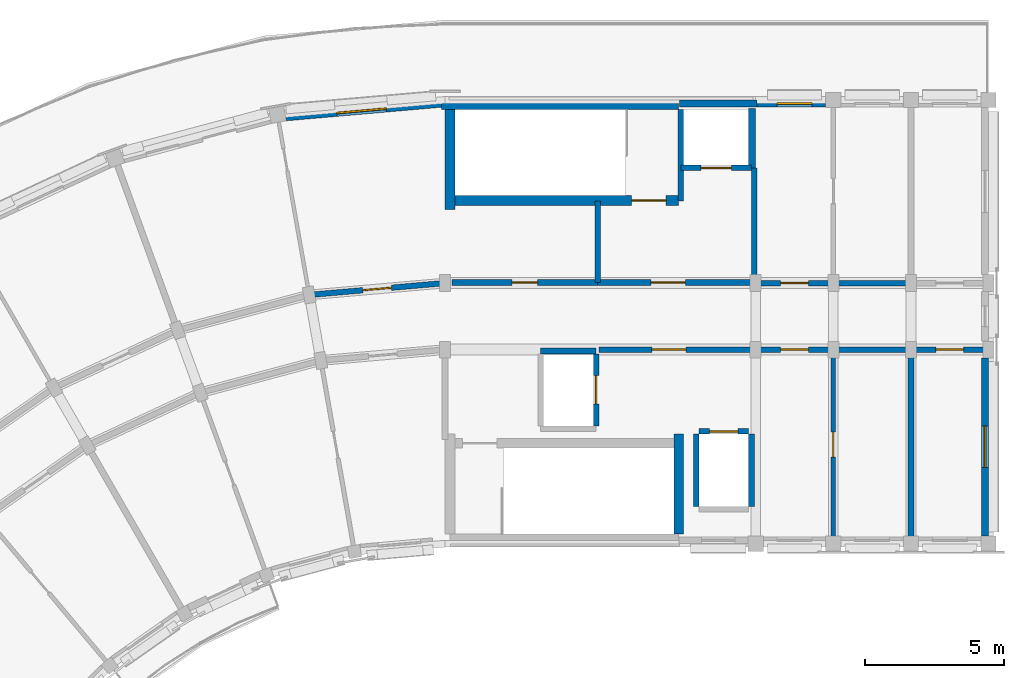
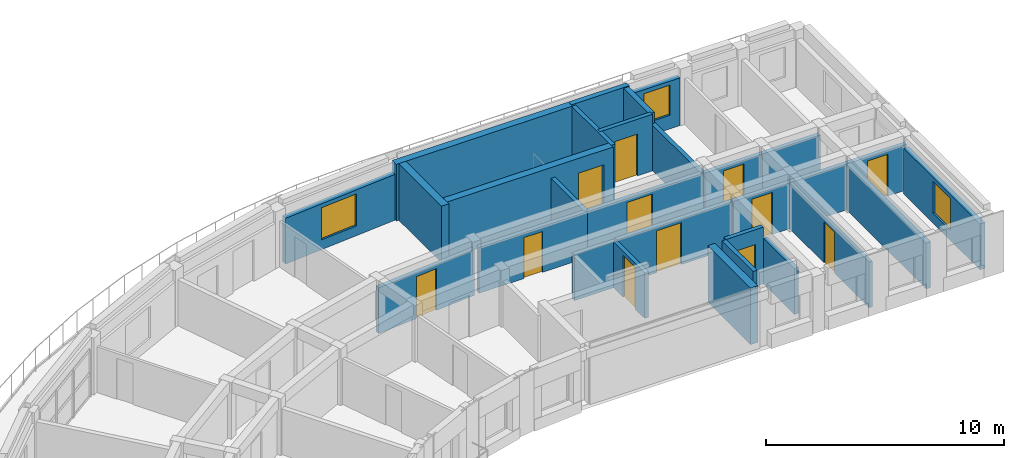
# One storey, part 9 of 14: 29 walls, 12 doors, 3 windows, 15 openings.
"""IFC4 building model written with IfcOpenShell, lengths in metres."""

from ifc_helpers import new_model, si_unit, direction, frame, frame_2d, origin, place, context, subcontext, project, spatial, rectangle, extrude, material, layer, layer_set, type_object, element, fill, save


model = new_model("IFC4")

# Units and contexts
model_context = context("Model", 3, precision=1e-05, world=origin(), true_north=direction((0.0, 1.0)))
body_context = subcontext(model_context, "Body", "Model", "MODEL_VIEW")
ifc_project = project(units=[si_unit("LENGTHUNIT", "METRE"), si_unit("AREAUNIT", "SQUARE_METRE"), si_unit("VOLUMEUNIT", "CUBIC_METRE"), si_unit("PLANEANGLEUNIT", "RADIAN"), si_unit("MASSUNIT", "GRAM", prefix="KILO")], contexts=[model_context])

# Site, building, storey
site_placement = place(None, origin())
site = spatial("IfcSite", under=ifc_project, at=site_placement, CompositionType="ELEMENT")
building_placement = place(site_placement, origin())
building = spatial("IfcBuilding", under=site, at=building_placement, Name="Kiranvali Square Residences", CompositionType="ELEMENT")
storey_placement = place(building_placement, frame((0.0, 0.0, 49.64990234375)))
storey = spatial("IfcBuildingStorey", under=building, at=storey_placement, Name="L15", CompositionType="ELEMENT", Elevation=49.64990234375)

# Wall, opening, door
ifc_material_1 = material(Name="Autoclaved aerated concrete blockwork masonry", Category="masonry")
ifc_layer_1 = layer(ifc_material_1, 0.199951171875)
ifc_layer_set_1 = layer_set([ifc_layer_1], Name="Autoclaved aerated concrete blockwork masonry")
wall_type_1 = type_object("IfcWallType", Name="WL-COR-200", PredefinedType="STANDARD", material=ifc_layer_set_1)
wall_1_placement = place(storey_placement, frame((53.75, 113.60009765625, 0.0), z_axis=(0.0, 0.0, 1.0), x_axis=(1.0, 0.0, 0.0)))
wall_1 = element("IfcWall", 1, at=wall_1_placement, inside=storey, type_object=wall_type_1, Name="L15 architectural wall WL-L15-A-LL-COR", PredefinedType="STANDARD", context=body_context, shape_type="SweptSolid", body=[
    extrude(rectangle(XDim=5.60009765625, YDim=0.199951171875, at=frame_2d((2.800048828125, 0.0))), origin(), (0.0, 0.0, 1.0), 2.35205078125),
])
opening_1_placement = place(wall_1_placement, frame((1.909912109375, 0.0, 0.0)))
opening_1 = element("IfcOpeningElement", 2, at=opening_1_placement, cuts=wall_1, Name="Opening FD-COR-60", PredefinedType="OPENING", context=body_context, shape_type="SweptSolid", body=[
    extrude(rectangle(XDim=1.219970703125, YDim=2.14990234375, at=frame_2d((0.60986328125, 1.074951171875))), frame((0.0, 0.10986328125, 0.0), z_axis=(0.0, -1.0, 0.0), x_axis=(1.0, 0.0, 0.0)), (0.0, 0.0, 1.0), 0.219970703125),
])
ifc_material_2 = material(Name="Fire-rated acoustic hardwood and mineral-core door assembly", Category="wood")
door_type_1 = type_object("IfcDoorType", Name="DR-FD60-1200", OperationType="NOTDEFINED", PredefinedType="DOOR", material=ifc_material_2)
door_1_placement = place(opening_1_placement, origin())
door_1 = element("IfcDoor", 3, at=door_1_placement, inside=storey, type_object=door_type_1, Name="L15 door DR-L15-0909 (DR-FD60-1200)", OperationType="SINGLE_SWING_LEFT", OverallHeight=2.14990234375, OverallWidth=1.219970703125, PredefinedType="DOOR", context=body_context, shape_type="SweptSolid", body=[
    extrude(rectangle(XDim=1.219970703125, YDim=2.14990234375, at=frame_2d((0.60986328125, 1.074951171875))), frame((0.0, 0.02490234375, 0.0), z_axis=(0.0, -1.0, 0.0), x_axis=(1.0, 0.0, 0.0)), (0.0, 0.0, 1.0), 0.050048828125),
])
fill(opening_1, door_1)

wall_2_placement = place(storey_placement, frame((59.39990234375, 113.60009765625, 0.0), z_axis=(0.0, 0.0, 1.0), x_axis=(1.0, 0.0, 0.0)))
wall_2 = element("IfcWall", 4, at=wall_2_placement, inside=storey, type_object=wall_type_1, Name="L15 architectural wall WL-L15-A-A1CI-0", PredefinedType="STANDARD", context=body_context, shape_type="SweptSolid", body=[
    extrude(rectangle(XDim=2.800048828125, YDim=0.199951171875, at=frame_2d((1.39990234375, 0.0))), origin(), (0.0, 0.0, 1.0), 2.35205078125),
])
opening_2_placement = place(wall_2_placement, frame((0.89990234375, 0.0, 0.0)))
opening_2 = element("IfcOpeningElement", 5, at=opening_2_placement, cuts=wall_2, Name="Opening FD-APT-60", PredefinedType="OPENING", context=body_context, shape_type="SweptSolid", body=[
    extrude(rectangle(XDim=1.0, YDim=2.14990234375, at=frame_2d((0.5, 1.074951171875))), frame((0.0, 0.10986328125, 0.0), z_axis=(0.0, -1.0, 0.0), x_axis=(1.0, 0.0, 0.0)), (0.0, 0.0, 1.0), 0.219970703125),
])
door_type_2 = type_object("IfcDoorType", Name="DR-APT-1000", OperationType="NOTDEFINED", PredefinedType="DOOR", material=ifc_material_2)
door_2_placement = place(opening_2_placement, frame((1.0, 0.0, 0.0), z_axis=(0.0, 0.0, 1.0), x_axis=(-1.0, 0.0, 0.0)))
door_2 = element("IfcDoor", 6, at=door_2_placement, inside=storey, type_object=door_type_2, Name="L15 door DR-L15-0912 (DR-APT-1000)", OperationType="SINGLE_SWING_RIGHT", OverallHeight=2.14990234375, OverallWidth=1.0, PredefinedType="DOOR", context=body_context, shape_type="SweptSolid", body=[
    extrude(rectangle(XDim=1.0, YDim=2.14990234375, at=frame_2d((0.5, 1.074951171875))), frame((0.0, 0.02490234375, 0.0), z_axis=(0.0, -1.0, 0.0), x_axis=(1.0, 0.0, 0.0)), (0.0, 0.0, 1.0), 0.050048828125),
])
fill(opening_2, door_2)

wall_3_placement = place(storey_placement, frame((59.39990234375, 116.0, 0.0), z_axis=(0.0, 0.0, 1.0), x_axis=(1.0, 0.0, 0.0)))
wall_3 = element("IfcWall", 7, at=wall_3_placement, inside=storey, type_object=wall_type_1, Name="L15 architectural wall WL-L15-A-A1CO-0", PredefinedType="STANDARD", context=body_context, shape_type="SweptSolid", body=[
    extrude(rectangle(XDim=2.800048828125, YDim=0.199951171875, at=frame_2d((1.39990234375, 0.0))), origin(), (0.0, 0.0, 1.0), 2.35205078125),
])
opening_3_placement = place(wall_3_placement, frame((0.89990234375, 0.0, 0.0)))
opening_3 = element("IfcOpeningElement", 8, at=opening_3_placement, cuts=wall_3, Name="Opening FD-APT-60", PredefinedType="OPENING", context=body_context, shape_type="SweptSolid", body=[
    extrude(rectangle(XDim=1.0, YDim=2.14990234375, at=frame_2d((0.5, 1.074951171875))), frame((0.0, 0.10986328125, 0.0), z_axis=(0.0, -1.0, 0.0), x_axis=(1.0, 0.0, 0.0)), (0.0, 0.0, 1.0), 0.219970703125),
])
door_3_placement = place(opening_3_placement, origin())
door_3 = element("IfcDoor", 9, at=door_3_placement, inside=storey, type_object=door_type_2, Name="L15 door DR-L15-0913 (DR-APT-1000)", OperationType="SINGLE_SWING_LEFT", OverallHeight=2.14990234375, OverallWidth=1.0, PredefinedType="DOOR", context=body_context, shape_type="SweptSolid", body=[
    extrude(rectangle(XDim=1.0, YDim=2.14990234375, at=frame_2d((0.5, 1.074951171875))), frame((0.0, 0.02490234375, 0.0), z_axis=(0.0, -1.0, 0.0), x_axis=(1.0, 0.0, 0.0)), (0.0, 0.0, 1.0), 0.050048828125),
])
fill(opening_3, door_3)

# Walls
for number, where, z_axis, x_axis, name in (
    (10, (62.199951171875, 113.60009765625, 0.0), (0.0, 0.0, 1.0), (1.0, 0.0, 0.0), "L15 architectural wall WL-L15-A-A1CI-1"),
    (11, (62.199951171875, 116.0, 0.0), (0.0, 0.0, 1.0), (1.0, 0.0, 0.0), "L15 architectural wall WL-L15-A-A1CO-1"),
):
    element("IfcWall", number, at=place(storey_placement, frame(where, z_axis=z_axis, x_axis=x_axis)), inside=storey, type_object=wall_type_1, Name=name, PredefinedType="STANDARD", context=body_context, shape_type="SweptSolid", body=[
        extrude(rectangle(XDim=2.800048828125, YDim=0.199951171875, at=frame_2d((1.39990234375, 0.0))), origin(), (0.0, 0.0, 1.0), 2.35205078125),
    ])

# Wall, opening, door
wall_4_placement = place(storey_placement, frame((65.0, 113.60009765625, 0.0), z_axis=(0.0, 0.0, 1.0), x_axis=(1.0, 0.0, 0.0)))
wall_4 = element("IfcWall", 12, at=wall_4_placement, inside=storey, type_object=wall_type_1, Name="L15 architectural wall WL-L15-A-A1CI-2", PredefinedType="STANDARD", context=body_context, shape_type="SweptSolid", body=[
    extrude(rectangle(XDim=2.800048828125, YDim=0.199951171875, at=frame_2d((1.39990234375, 0.0))), origin(), (0.0, 0.0, 1.0), 2.35205078125),
])
opening_4_placement = place(wall_4_placement, frame((0.89990234375, 0.0, 0.0)))
opening_4 = element("IfcOpeningElement", 13, at=opening_4_placement, cuts=wall_4, Name="Opening FD-APT-60", PredefinedType="OPENING", context=body_context, shape_type="SweptSolid", body=[
    extrude(rectangle(XDim=1.0, YDim=2.14990234375, at=frame_2d((0.5, 1.074951171875))), frame((0.0, 0.10986328125, 0.0), z_axis=(0.0, -1.0, 0.0), x_axis=(1.0, 0.0, 0.0)), (0.0, 0.0, 1.0), 0.219970703125),
])
door_4_placement = place(opening_4_placement, frame((1.0, 0.0, 0.0), z_axis=(0.0, 0.0, 1.0), x_axis=(-1.0, 0.0, 0.0)))
door_4 = element("IfcDoor", 14, at=door_4_placement, inside=storey, type_object=door_type_2, Name="L15 door DR-L15-0914 (DR-APT-1000)", OperationType="SINGLE_SWING_RIGHT", OverallHeight=2.14990234375, OverallWidth=1.0, PredefinedType="DOOR", context=body_context, shape_type="SweptSolid", body=[
    extrude(rectangle(XDim=1.0, YDim=2.14990234375, at=frame_2d((0.5, 1.074951171875))), frame((0.0, 0.02490234375, 0.0), z_axis=(0.0, -1.0, 0.0), x_axis=(1.0, 0.0, 0.0)), (0.0, 0.0, 1.0), 0.050048828125),
])
fill(opening_4, door_4)

wall_5_placement = place(storey_placement, frame((48.199951171875, 116.0, 0.0), z_axis=(0.0, 0.0, 1.0), x_axis=(-0.996193663584, -0.087167566415, 0.0)))
wall_5 = element("IfcWall", 15, at=wall_5_placement, inside=storey, type_object=wall_type_1, Name="L15 architectural wall WL-L15-A-CCO-0", PredefinedType="STANDARD", context=body_context, shape_type="SweptSolid", body=[
    extrude(rectangle(XDim=4.91552734375, YDim=0.199951171875, at=frame_2d((2.457763671875, 0.0))), origin(), (0.0, 0.0, 1.0), 2.35205078125),
])
opening_5_placement = place(wall_5_placement, frame((1.937744140625, 0.0, 0.0)))
opening_5 = element("IfcOpeningElement", 16, at=opening_5_placement, cuts=wall_5, Name="Opening FD-APT-60B", PredefinedType="OPENING", context=body_context, shape_type="SweptSolid", body=[
    extrude(rectangle(XDim=1.0400390625, YDim=2.14990234375, at=frame_2d((0.52001953125, 1.074951171875))), frame((0.0, 0.10986328125, 0.0), z_axis=(0.0, -1.0, 0.0), x_axis=(1.0, 0.0, 0.0)), (0.0, 0.0, 1.0), 0.219970703125),
])
door_type_3 = type_object("IfcDoorType", Name="DR-APT-1040", OperationType="NOTDEFINED", PredefinedType="DOOR", material=ifc_material_2)
door_5_placement = place(opening_5_placement, origin())
door_5 = element("IfcDoor", 17, at=door_5_placement, inside=storey, type_object=door_type_3, Name="L15 door DR-L15-0929 (DR-APT-1040)", OperationType="SINGLE_SWING_LEFT", OverallHeight=2.14990234375, OverallWidth=1.0400390625, PredefinedType="DOOR", context=body_context, shape_type="SweptSolid", body=[
    extrude(rectangle(XDim=1.0400390625, YDim=2.14990234375, at=frame_2d((0.52001953125, 1.074951171875))), frame((0.0, 0.02490234375, 0.0), z_axis=(0.0, -1.0, 0.0), x_axis=(1.0, 0.0, 0.0)), (0.0, 0.0, 1.0), 0.050048828125),
])
fill(opening_5, door_5)

# Wall
ifc_layer_2 = layer(ifc_material_1, 0.219970703125)
ifc_layer_set_2 = layer_set([ifc_layer_2], Name="Autoclaved aerated concrete blockwork masonry")
wall_type_2 = type_object("IfcWallType", Name="WL-DEM-220", PredefinedType="STANDARD", material=ifc_layer_set_2)
wall_6_placement = place(storey_placement, frame((65.0, 106.800048828125, 0.0), z_axis=(0.0, 0.0, 1.0), x_axis=(0.0, 1.0, 0.0)))
element("IfcWall", 18, at=wall_6_placement, inside=storey, type_object=wall_type_2, Name="L15 architectural wall WL-L15-A-A1TI-2", PredefinedType="STANDARD", context=body_context, shape_type="SweptSolid", body=[
    extrude(rectangle(XDim=6.75, YDim=0.219970703125, at=frame_2d((3.375, 0.0))), origin(), (0.0, 0.0, 1.0), 2.35205078125),
])

# Wall, opening, window
ifc_material_3 = material(Name="Breathable lime-rendered clay brick masonry", Category="masonry")
ifc_layer_3 = layer(ifc_material_3, 0.25)
ifc_layer_set_3 = layer_set([ifc_layer_3], Name="Breathable lime-rendered clay brick masonry")
wall_type_3 = type_object("IfcWallType", Name="WL-EXT-250", PredefinedType="STANDARD", material=ifc_layer_set_3)
wall_7_placement = place(storey_placement, frame((48.06640625, 122.462890625, 0.0), z_axis=(0.0, 0.0, 1.0), x_axis=(-0.996192680155, -0.087178804791, 0.0)))
wall_7 = element("IfcWall", 19, at=wall_7_placement, inside=storey, type_object=wall_type_3, Name="L15 exterior wall A-L15-CRV-00", PredefinedType="STANDARD", context=body_context, shape_type="SweptSolid", body=[
    extrude(rectangle(XDim=5.62060546875, YDim=0.25, at=frame_2d((2.810302734375, 0.0))), origin(), (0.0, 0.0, 1.0), 2.35205078125),
])
opening_6_placement = place(wall_7_placement, frame((1.988037109375, 0.0, 0.501953125)))
opening_6 = element("IfcOpeningElement", 20, at=opening_6_placement, cuts=wall_7, Name="Opening W-04", PredefinedType="OPENING", context=body_context, shape_type="SweptSolid", body=[
    extrude(rectangle(XDim=1.800048828125, YDim=1.64990234375, at=frame_2d((0.89990234375, 0.824951171875))), frame((0.0, 0.135009765625, 0.0), z_axis=(0.0, -1.0, 0.0), x_axis=(1.0, 0.0, 0.0)), (0.0, 0.0, 1.0), 0.27001953125),
])
ifc_material_4 = material(Name="Solar-control low-e double glazing", Category="glass")
window_type_1 = type_object("IfcWindowType", Name="WIN-RES-1800x1650", PartitioningType="DOUBLE_PANEL_VERTICAL", PredefinedType="WINDOW", material=ifc_material_4)
window_1_placement = place(opening_6_placement, origin())
window_1 = element("IfcWindow", 21, at=window_1_placement, inside=storey, type_object=window_type_1, Name="L15 recessed window A-L15-CRV-00", OverallHeight=1.64990234375, OverallWidth=1.800048828125, PartitioningType="DOUBLE_PANEL_VERTICAL", PredefinedType="WINDOW", context=body_context, shape_type="SweptSolid", body=[
    extrude(rectangle(XDim=1.800048828125, YDim=1.64990234375, at=frame_2d((0.89990234375, 0.824951171875))), frame((0.0, 0.030029296875, 0.0), z_axis=(0.0, -1.0, 0.0), x_axis=(1.0, 0.0, 0.0)), (0.0, 0.0, 1.0), 0.06005859375),
])
fill(opening_6, window_1)

wall_8_placement = place(storey_placement, frame((59.45361328125, 122.47509765625, 0.0), z_axis=(0.0, 0.0, 1.0), x_axis=(1.0, 0.0, 0.0)))
wall_8 = element("IfcWall", 22, at=wall_8_placement, inside=storey, type_object=wall_type_3, Name="L15 exterior wall A-L15-A1TO-0", PredefinedType="STANDARD", context=body_context, shape_type="SweptSolid", body=[
    extrude(rectangle(XDim=2.4677734375, YDim=0.25, at=frame_2d((1.23388671875, 0.0))), origin(), (0.0, 0.0, 1.0), 2.4521484375),
])
opening_7_placement = place(wall_8_placement, frame((0.721435546875, 0.0, 0.701904296875)))
opening_7 = element("IfcOpeningElement", 23, at=opening_7_placement, cuts=wall_8, Name="Opening W-19", PredefinedType="OPENING", context=body_context, shape_type="SweptSolid", body=[
    extrude(rectangle(XDim=1.25, YDim=1.550048828125, at=frame_2d((0.625, 0.77490234375))), frame((0.0, 0.135009765625, 0.0), z_axis=(0.0, -1.0, 0.0), x_axis=(1.0, 0.0, 0.0)), (0.0, 0.0, 1.0), 0.27001953125),
])
window_type_2 = type_object("IfcWindowType", Name="WIN-GDN-1250x1550", PartitioningType="SINGLE_PANEL", PredefinedType="WINDOW", material=ifc_material_4)
window_2_placement = place(opening_7_placement, origin())
window_2 = element("IfcWindow", 24, at=window_2_placement, inside=storey, type_object=window_type_2, Name="L15 recessed window A-L15-A1TO-0", OverallHeight=1.550048828125, OverallWidth=1.25, PartitioningType="SINGLE_PANEL", PredefinedType="WINDOW", context=body_context, shape_type="SweptSolid", body=[
    extrude(rectangle(XDim=1.25, YDim=1.550048828125, at=frame_2d((0.625, 0.77490234375))), frame((0.0, 0.030029296875, 0.0), z_axis=(0.0, -1.0, 0.0), x_axis=(1.0, 0.0, 0.0)), (0.0, 0.0, 1.0), 0.06005859375),
])
fill(opening_7, window_2)

wall_9_placement = place(storey_placement, frame((67.675048828125, 106.87841796875, 0.0), z_axis=(0.0, 0.0, 1.0), x_axis=(0.0, 1.0, 0.0)))
wall_9 = element("IfcWall", 25, at=wall_9_placement, inside=storey, type_object=wall_type_3, Name="L15 exterior wall A-L15-A1END-0", PredefinedType="STANDARD", context=body_context, shape_type="SweptSolid", body=[
    extrude(rectangle(XDim=6.41796875, YDim=0.25, at=frame_2d((3.208984375, 0.0))), origin(), (0.0, 0.0, 1.0), 2.35205078125),
])
opening_8_placement = place(wall_9_placement, frame((2.471435546875, 0.0, 0.501953125)))
opening_8 = element("IfcOpeningElement", 26, at=opening_8_placement, cuts=wall_9, Name="Opening W-05", PredefinedType="OPENING", context=body_context, shape_type="SweptSolid", body=[
    extrude(rectangle(XDim=1.5, YDim=1.64990234375, at=frame_2d((0.75, 0.824951171875))), frame((0.0, 0.135009765625, 0.0), z_axis=(0.0, -1.0, 0.0), x_axis=(1.0, 0.0, 0.0)), (0.0, 0.0, 1.0), 0.27001953125),
])
window_type_3 = type_object("IfcWindowType", Name="WIN-RES-1500x1650", PartitioningType="DOUBLE_PANEL_VERTICAL", PredefinedType="WINDOW", material=ifc_material_4)
window_3_placement = place(opening_8_placement, origin())
window_3 = element("IfcWindow", 27, at=window_3_placement, inside=storey, type_object=window_type_3, Name="L15 recessed window A-L15-A1END-0", OverallHeight=1.64990234375, OverallWidth=1.5, PartitioningType="DOUBLE_PANEL_VERTICAL", PredefinedType="WINDOW", context=body_context, shape_type="SweptSolid", body=[
    extrude(rectangle(XDim=1.5, YDim=1.64990234375, at=frame_2d((0.75, 0.824951171875))), frame((0.0, 0.030029296875, 0.0), z_axis=(0.0, -1.0, 0.0), x_axis=(1.0, 0.0, 0.0)), (0.0, 0.0, 1.0), 0.06005859375),
])
fill(opening_8, window_3)

# Wall, opening, door
ifc_layer_4 = layer(ifc_material_1, 0.199951171875)
ifc_layer_set_4 = layer_set([ifc_layer_4], Name="Autoclaved aerated concrete blockwork masonry")
wall_type_4 = type_object("IfcWallType", Name="WL-FFL-200", PredefinedType="STANDARD", material=ifc_layer_set_4)
wall_10_placement = place(storey_placement, frame((53.699951171875, 116.02001953125, 0.0), z_axis=(0.0, 0.0, 1.0), x_axis=(1.0, 0.0, 0.0)))
wall_10 = element("IfcWall", 28, at=wall_10_placement, inside=storey, type_object=wall_type_4, Name="L15 architectural wall WL-L15-A-FF-COR", PredefinedType="STANDARD", context=body_context, shape_type="SweptSolid", body=[
    extrude(rectangle(XDim=5.650146484375, YDim=0.199951171875, at=frame_2d((2.8251953125, 0.0))), origin(), (0.0, 0.0, 1.0), 2.35205078125),
])
opening_9_placement = place(wall_10_placement, frame((1.922607421875, 0.0, 0.0)))
opening_9 = element("IfcOpeningElement", 29, at=opening_9_placement, cuts=wall_10, Name="Opening FD-ST-120", PredefinedType="OPENING", context=body_context, shape_type="SweptSolid", body=[
    extrude(rectangle(XDim=1.239990234375, YDim=2.14990234375, at=frame_2d((0.6201171875, 1.074951171875))), frame((0.0, 0.10986328125, 0.0), z_axis=(0.0, -1.0, 0.0), x_axis=(1.0, 0.0, 0.0)), (0.0, 0.0, 1.0), 0.219970703125),
])
door_type_4 = type_object("IfcDoorType", Name="DR-FD120-1200", OperationType="NOTDEFINED", PredefinedType="DOOR", material=ifc_material_2)
door_6_placement = place(opening_9_placement, origin())
door_6 = element("IfcDoor", 30, at=door_6_placement, inside=storey, type_object=door_type_4, Name="L15 door DR-L15-0901 (DR-FD120-1200)", OperationType="SINGLE_SWING_LEFT", OverallHeight=2.14990234375, OverallWidth=1.239990234375, PredefinedType="DOOR", context=body_context, shape_type="SweptSolid", body=[
    extrude(rectangle(XDim=1.239990234375, YDim=2.14990234375, at=frame_2d((0.6201171875, 1.074951171875))), frame((0.0, 0.02490234375, 0.0), z_axis=(0.0, -1.0, 0.0), x_axis=(1.0, 0.0, 0.0)), (0.0, 0.0, 1.0), 0.050048828125),
])
fill(opening_9, door_6)

# Walls
wall_11_placement = place(storey_placement, frame((53.699951171875, 116.02001953125, 0.0), z_axis=(0.0, 0.0, 1.0), x_axis=(0.0, 1.0, 0.0)))
element("IfcWall", 31, at=wall_11_placement, inside=storey, type_object=wall_type_4, Name="L15 architectural wall WL-L15-A-FF-DIV", PredefinedType="STANDARD", context=body_context, shape_type="SweptSolid", body=[
    extrude(rectangle(XDim=2.929931640625, YDim=0.199951171875, at=frame_2d((1.46484375, 0.0))), origin(), (0.0, 0.0, 1.0), 2.35205078125),
])
wall_12_placement = place(storey_placement, frame((59.35009765625, 116.02001953125, 0.0), z_axis=(0.0, 0.0, 1.0), x_axis=(0.0, 1.0, 0.0)))
element("IfcWall", 32, at=wall_12_placement, inside=storey, type_object=wall_type_4, Name="L15 architectural wall WL-L15-A-FF-END", PredefinedType="STANDARD", context=body_context, shape_type="SweptSolid", body=[
    extrude(rectangle(XDim=4.1298828125, YDim=0.199951171875, at=frame_2d((2.06494140625, 0.0))), origin(), (0.0, 0.0, 1.0), 2.35205078125),
])

# Wall, opening, door
wall_13_placement = place(storey_placement, frame((56.699951171875, 120.14990234375, 0.0), z_axis=(0.0, 0.0, 1.0), x_axis=(1.0, 0.0, 0.0)))
wall_13 = element("IfcWall", 33, at=wall_13_placement, inside=storey, type_object=wall_type_4, Name="L15 architectural wall WL-L15-A-FF-LFT", PredefinedType="STANDARD", context=body_context, shape_type="SweptSolid", body=[
    extrude(rectangle(XDim=2.550048828125, YDim=0.199951171875, at=frame_2d((1.27490234375, 0.0))), origin(), (0.0, 0.0, 1.0), 2.91015625),
])
opening_10_placement = place(wall_13_placement, frame((0.72509765625, 0.0, 0.0)))
opening_10 = element("IfcOpeningElement", 34, at=opening_10_placement, cuts=wall_13, Name="Opening LD-FF-110", PredefinedType="OPENING", context=body_context, shape_type="SweptSolid", body=[
    extrude(rectangle(XDim=1.10009765625, YDim=2.14990234375, at=frame_2d((0.550048828125, 1.074951171875))), frame((0.0, 0.10986328125, 0.0), z_axis=(0.0, -1.0, 0.0), x_axis=(1.0, 0.0, 0.0)), (0.0, 0.0, 1.0), 0.219970703125),
])
door_type_5 = type_object("IfcDoorType", Name="DR-LIFT-FF-1100", OperationType="SLIDING_TO_LEFT", PredefinedType="DOOR", material=ifc_material_2)
door_7_placement = place(opening_10_placement, origin())
door_7 = element("IfcDoor", 35, at=door_7_placement, inside=storey, type_object=door_type_5, Name="L15 door DR-L15-0903 (DR-LIFT-FF-1100)", OperationType="SLIDING_TO_LEFT", OverallHeight=2.14990234375, OverallWidth=1.10009765625, PredefinedType="DOOR", context=body_context, shape_type="SweptSolid", body=[
    extrude(rectangle(XDim=1.10009765625, YDim=2.14990234375, at=frame_2d((0.550048828125, 1.074951171875))), frame((0.0, 0.02490234375, 0.0), z_axis=(0.0, -1.0, 0.0), x_axis=(1.0, 0.0, 0.0)), (0.0, 0.0, 1.0), 0.050048828125),
])
fill(opening_10, door_7)

ifc_material_5 = material(Name="Acoustic gypsum board drylined partition", Category="gypsum")
ifc_layer_5 = layer(ifc_material_5, 0.14990234375)
ifc_layer_set_5 = layer_set([ifc_layer_5], Name="Acoustic gypsum board drylined partition")
wall_type_5 = type_object("IfcWallType", Name="WL-PRT-150", PredefinedType="PARTITIONING", material=ifc_layer_set_5)
wall_14_placement = place(storey_placement, frame((62.199951171875, 106.800048828125, 0.0), z_axis=(0.0, 0.0, 1.0), x_axis=(0.0, 1.0, 0.0)))
wall_14 = element("IfcWall", 36, at=wall_14_placement, inside=storey, type_object=wall_type_5, Name="L15 architectural wall WL-L15-A-A1TI-1", PredefinedType="PARTITIONING", context=body_context, shape_type="SweptSolid", body=[
    extrude(rectangle(XDim=6.75, YDim=0.14990234375, at=frame_2d((3.375, 0.0))), origin(), (0.0, 0.0, 1.0), 2.35205078125),
])
opening_11_placement = place(wall_14_placement, frame((2.925048828125, 0.0, 0.0)))
opening_11 = element("IfcOpeningElement", 37, at=opening_11_placement, cuts=wall_14, Name="Opening ID-1", PredefinedType="OPENING", context=body_context, shape_type="SweptSolid", body=[
    extrude(rectangle(XDim=0.89990234375, YDim=2.10009765625, at=frame_2d((0.449951171875, 1.050048828125))), frame((0.0, 0.0849609375, 0.0), z_axis=(0.0, -1.0, 0.0), x_axis=(1.0, 0.0, 0.0)), (0.0, 0.0, 1.0), 0.169921875),
])
ifc_material_6 = material(Name="Solid seasoned teak hardwood joinery", Category="wood")
door_type_6 = type_object("IfcDoorType", Name="DR-INT-900", OperationType="NOTDEFINED", PredefinedType="DOOR", material=ifc_material_6)
door_8_placement = place(opening_11_placement, frame((0.89990234375, 0.0, 0.0), z_axis=(0.0, 0.0, 1.0), x_axis=(-1.0, 0.0, 0.0)))
door_8 = element("IfcDoor", 38, at=door_8_placement, inside=storey, type_object=door_type_6, Name="L15 door DR-L15-0916 (DR-INT-900)", OperationType="SINGLE_SWING_RIGHT", OverallHeight=2.10009765625, OverallWidth=0.89990234375, PredefinedType="DOOR", context=body_context, shape_type="SweptSolid", body=[
    extrude(rectangle(XDim=0.89990234375, YDim=2.10009765625, at=frame_2d((0.449951171875, 1.050048828125))), frame((0.0, 0.02490234375, 0.0), z_axis=(0.0, -1.0, 0.0), x_axis=(1.0, 0.0, 0.0)), (0.0, 0.0, 1.0), 0.050048828125),
])
fill(opening_11, door_8)

ifc_layer_6 = layer(ifc_material_1, 0.199951171875)
ifc_layer_set_6 = layer_set([ifc_layer_6], Name="Autoclaved aerated concrete blockwork masonry")
wall_type_6 = type_object("IfcWallType", Name="WL-SHF-200", PredefinedType="STANDARD", material=ifc_layer_set_6)
wall_15_placement = place(storey_placement, frame((48.449951171875, 116.02001953125, 0.0), z_axis=(0.0, 0.0, 1.0), x_axis=(1.0, 0.0, 0.0)))
wall_15 = element("IfcWall", 39, at=wall_15_placement, inside=storey, type_object=wall_type_6, Name="L15 architectural wall WL-L15-A-RSR-COR", PredefinedType="STANDARD", context=body_context, shape_type="SweptSolid", body=[
    extrude(rectangle(XDim=5.25, YDim=0.199951171875, at=frame_2d((2.625, 0.0))), origin(), (0.0, 0.0, 1.0), 2.35205078125),
])
opening_12_placement = place(wall_15_placement, frame((2.1650390625, 0.0, 0.0)))
opening_12 = element("IfcOpeningElement", 40, at=opening_12_placement, cuts=wall_15, Name="Opening FD-SVC-120", PredefinedType="OPENING", context=body_context, shape_type="SweptSolid", body=[
    extrude(rectangle(XDim=0.919921875, YDim=2.10009765625, at=frame_2d((0.4599609375, 1.050048828125))), frame((0.0, 0.10986328125, 0.0), z_axis=(0.0, -1.0, 0.0), x_axis=(1.0, 0.0, 0.0)), (0.0, 0.0, 1.0), 0.219970703125),
])
door_type_7 = type_object("IfcDoorType", Name="DR-SVC-900", OperationType="NOTDEFINED", PredefinedType="DOOR", material=ifc_material_2)
door_9_placement = place(opening_12_placement, frame((0.919921875, 0.0, 0.0), z_axis=(0.0, 0.0, 1.0), x_axis=(-1.0, 0.0, 0.0)))
door_9 = element("IfcDoor", 41, at=door_9_placement, inside=storey, type_object=door_type_7, Name="L15 door DR-L15-0902 (DR-SVC-900)", OperationType="SINGLE_SWING_RIGHT", OverallHeight=2.10009765625, OverallWidth=0.919921875, PredefinedType="DOOR", context=body_context, shape_type="SweptSolid", body=[
    extrude(rectangle(XDim=0.919921875, YDim=2.10009765625, at=frame_2d((0.4599609375, 1.050048828125))), frame((0.0, 0.02490234375, 0.0), z_axis=(0.0, -1.0, 0.0), x_axis=(1.0, 0.0, 0.0)), (0.0, 0.0, 1.0), 0.050048828125),
])
fill(opening_12, door_9)

# Walls
wall_16_placement = place(storey_placement, frame((56.699951171875, 118.949951171875, 0.0), z_axis=(0.0, 0.0, 1.0), x_axis=(0.0, 1.0, 0.0)))
element("IfcWall", 42, at=wall_16_placement, inside=storey, type_object=wall_type_6, Name="L15 architectural wall WL-L15-A-FF-SHF", PredefinedType="STANDARD", context=body_context, shape_type="SweptSolid", body=[
    extrude(rectangle(XDim=3.300048828125, YDim=0.199951171875, at=frame_2d((1.64990234375, 0.0))), origin(), (0.0, 0.0, 1.0), 2.91015625),
])
wall_17_placement = place(storey_placement, frame((57.25, 107.949951171875, 0.0), z_axis=(0.0, 0.0, 1.0), x_axis=(0.0, 1.0, 0.0)))
element("IfcWall", 43, at=wall_17_placement, inside=storey, type_object=wall_type_6, Name="L15 architectural wall WL-L15-A-LP1-S1", PredefinedType="STANDARD", context=body_context, shape_type="SweptSolid", body=[
    extrude(rectangle(XDim=2.60009765625, YDim=0.199951171875, at=frame_2d((1.300048828125, 0.0))), origin(), (0.0, 0.0, 1.0), 2.91015625),
])
wall_18_placement = place(storey_placement, frame((59.25, 107.949951171875, 0.0), z_axis=(0.0, 0.0, 1.0), x_axis=(0.0, 1.0, 0.0)))
element("IfcWall", 44, at=wall_18_placement, inside=storey, type_object=wall_type_6, Name="L15 architectural wall WL-L15-A-LP1-B", PredefinedType="STANDARD", context=body_context, shape_type="SweptSolid", body=[
    extrude(rectangle(XDim=2.60009765625, YDim=0.199951171875, at=frame_2d((1.300048828125, 0.0))), origin(), (0.0, 0.0, 1.0), 2.35205078125),
])

# Wall, opening, door
wall_19_placement = place(storey_placement, frame((57.35009765625, 110.64990234375, 0.0), z_axis=(0.0, 0.0, 1.0), x_axis=(1.0, 0.0, 0.0)))
wall_19 = element("IfcWall", 45, at=wall_19_placement, inside=storey, type_object=wall_type_6, Name="L15 architectural wall WL-L15-A-LP1-F", PredefinedType="STANDARD", context=body_context, shape_type="SweptSolid", body=[
    extrude(rectangle(XDim=1.7998046875, YDim=0.199951171875, at=frame_2d((0.89990234375, 0.0))), origin(), (0.0, 0.0, 1.0), 2.91015625),
])
opening_13_placement = place(wall_19_placement, frame((0.389892578125, 0.0, 0.0)))
opening_13 = element("IfcOpeningElement", 46, at=opening_13_placement, cuts=wall_19, Name="Opening LD-PAX-100", PredefinedType="OPENING", context=body_context, shape_type="SweptSolid", body=[
    extrude(rectangle(XDim=1.02001953125, YDim=2.14990234375, at=frame_2d((0.510009765625, 1.074951171875))), frame((0.0, 0.10986328125, 0.0), z_axis=(0.0, -1.0, 0.0), x_axis=(1.0, 0.0, 0.0)), (0.0, 0.0, 1.0), 0.219970703125),
])
door_type_8 = type_object("IfcDoorType", Name="DR-LIFT-1000", OperationType="SLIDING_TO_RIGHT", PredefinedType="DOOR", material=ifc_material_2)
door_10_placement = place(opening_13_placement, origin())
door_10 = element("IfcDoor", 47, at=door_10_placement, inside=storey, type_object=door_type_8, Name="L15 door DR-L15-0907 (DR-LIFT-1000)", OperationType="SLIDING_TO_RIGHT", OverallHeight=2.14990234375, OverallWidth=1.02001953125, PredefinedType="DOOR", context=body_context, shape_type="SweptSolid", body=[
    extrude(rectangle(XDim=1.02001953125, YDim=2.14990234375, at=frame_2d((0.510009765625, 1.074951171875))), frame((0.0, 0.02490234375, 0.0), z_axis=(0.0, -1.0, 0.0), x_axis=(1.0, 0.0, 0.0)), (0.0, 0.0, 1.0), 0.050048828125),
])
fill(opening_13, door_10)

# Wall
wall_20_placement = place(storey_placement, frame((51.64990234375, 113.550048828125, 0.0), z_axis=(0.0, 0.0, 1.0), x_axis=(1.0, 0.0, 0.0)))
element("IfcWall", 48, at=wall_20_placement, inside=storey, type_object=wall_type_6, Name="L15 architectural wall WL-L15-A-LP2-B", PredefinedType="STANDARD", context=body_context, shape_type="SweptSolid", body=[
    extrude(rectangle(XDim=2.0, YDim=0.199951171875, at=frame_2d((1.0, 0.0))), origin(), (0.0, 0.0, 1.0), 2.35205078125),
])

# Wall, opening, door
wall_21_placement = place(storey_placement, frame((53.64990234375, 110.85009765625, 0.0), z_axis=(0.0, 0.0, 1.0), x_axis=(0.0, 1.0, 0.0)))
wall_21 = element("IfcWall", 49, at=wall_21_placement, inside=storey, type_object=wall_type_6, Name="L15 architectural wall WL-L15-A-LP2-F", PredefinedType="STANDARD", context=body_context, shape_type="SweptSolid", body=[
    extrude(rectangle(XDim=2.599853515625, YDim=0.199951171875, at=frame_2d((1.2998046875, 0.0))), origin(), (0.0, 0.0, 1.0), 2.35205078125),
])
opening_14_placement = place(wall_21_placement, frame((0.7900390625, 0.0, 0.0)))
opening_14 = element("IfcOpeningElement", 50, at=opening_14_placement, cuts=wall_21, Name="Opening LD-PAX-100", PredefinedType="OPENING", context=body_context, shape_type="SweptSolid", body=[
    extrude(rectangle(XDim=1.02001953125, YDim=2.14990234375, at=frame_2d((0.510009765625, 1.074951171875))), frame((0.0, 0.10986328125, 0.0), z_axis=(0.0, -1.0, 0.0), x_axis=(1.0, 0.0, 0.0)), (0.0, 0.0, 1.0), 0.219970703125),
])
door_11_placement = place(opening_14_placement, origin())
door_11 = element("IfcDoor", 51, at=door_11_placement, inside=storey, type_object=door_type_8, Name="L15 door DR-L15-0908 (DR-LIFT-1000)", OperationType="SLIDING_TO_RIGHT", OverallHeight=2.14990234375, OverallWidth=1.02001953125, PredefinedType="DOOR", context=body_context, shape_type="SweptSolid", body=[
    extrude(rectangle(XDim=1.02001953125, YDim=2.14990234375, at=frame_2d((0.510009765625, 1.074951171875))), frame((0.0, 0.02490234375, 0.0), z_axis=(0.0, -1.0, 0.0), x_axis=(1.0, 0.0, 0.0)), (0.0, 0.0, 1.0), 0.050048828125),
])
fill(opening_14, door_11)

# Walls
ifc_material_7 = material(Name="Concrete M45 (45 MPa)", Category="concrete")
ifc_layer_7 = layer(ifc_material_7, 0.25)
ifc_layer_set_7 = layer_set([ifc_layer_7], Name="Concrete M45 (45 MPa)")
wall_type_7 = type_object("IfcWallType", Name="WL-SHR-250", PredefinedType="SHEAR", material=ifc_layer_set_7)
wall_22_placement = place(storey_placement, frame((56.64990234375, 122.47509765625, 0.0), z_axis=(0.0, 0.0, 1.0), x_axis=(1.0, 0.0, 0.0)))
element("IfcWall", 52, at=wall_22_placement, inside=storey, type_object=wall_type_7, Name="Block A core shear wall SW-AFF-BK-L15", PredefinedType="SHEAR", context=body_context, shape_type="SweptSolid", body=[
    extrude(rectangle(XDim=2.800048828125, YDim=0.25, at=frame_2d((1.39990234375, 0.0))), origin(), (0.0, 0.0, 1.0), 2.91015625),
])
wall_23_placement = place(storey_placement, frame((59.27490234375, 120.14990234375, 0.0), z_axis=(0.0, 0.0, 1.0), x_axis=(0.0, 1.0, 0.0)))
element("IfcWall", 53, at=wall_23_placement, inside=storey, type_object=wall_type_7, Name="Block A core shear wall SW-AFF-SD-L15", PredefinedType="SHEAR", context=body_context, shape_type="SweptSolid", body=[
    extrude(rectangle(XDim=2.150146484375, YDim=0.25, at=frame_2d((1.0751953125, 0.0))), origin(), (0.0, 0.0, 1.0), 2.91015625),
])
ifc_layer_8 = layer(ifc_material_7, 0.320068359375)
ifc_layer_set_8 = layer_set([ifc_layer_8], Name="Concrete M45 (45 MPa)")
wall_type_8 = type_object("IfcWallType", Name="WL-SHR-320", PredefinedType="SHEAR", material=ifc_layer_set_8)
wall_24_placement = place(storey_placement, frame((48.080078125, 122.425048828125, 0.0), z_axis=(0.0, 0.0, 1.0), x_axis=(1.0, 0.0, 0.0)))
element("IfcWall", 54, at=wall_24_placement, inside=storey, type_object=wall_type_8, Name="Block A core shear wall SW-A1-OUT-L15", PredefinedType="SHEAR", context=body_context, shape_type="SweptSolid", body=[
    extrude(rectangle(XDim=8.544921875, YDim=0.35009765625, at=frame_2d((4.2724609375, 0.0))), origin(), (0.0, 0.0, 1.0), 2.91015625),
])

# Wall, opening, door
wall_25_placement = place(storey_placement, frame((48.550048828125, 118.97509765625, 0.0), z_axis=(0.0, 0.0, 1.0), x_axis=(1.0, 0.0, 0.0)))
wall_25 = element("IfcWall", 55, at=wall_25_placement, inside=storey, type_object=wall_type_8, Name="Block A core shear wall SW-A1-IN-L15", PredefinedType="SHEAR", context=body_context, shape_type="SweptSolid", body=[
    extrude(rectangle(XDim=8.074951171875, YDim=0.35009765625, at=frame_2d((4.03759765625, 0.0))), origin(), (0.0, 0.0, 1.0), 2.91015625),
])
opening_15_placement = place(wall_25_placement, frame((6.3798828125, 0.0, 0.0)))
opening_15 = element("IfcOpeningElement", 56, at=opening_15_placement, cuts=wall_25, Name="Opening FD-ST-120", PredefinedType="OPENING", context=body_context, shape_type="SweptSolid", body=[
    extrude(rectangle(XDim=1.239990234375, YDim=2.14990234375, at=frame_2d((0.6201171875, 1.074951171875))), frame((0.0, 0.18505859375, 0.0), z_axis=(0.0, -1.0, 0.0), x_axis=(1.0, 0.0, 0.0)), (0.0, 0.0, 1.0), 0.3701171875),
])
door_12_placement = place(opening_15_placement, origin())
door_12 = element("IfcDoor", 57, at=door_12_placement, inside=storey, type_object=door_type_4, Name="L15 door DR-L15-0904 (DR-FD120-1200)", OperationType="SINGLE_SWING_RIGHT", OverallHeight=2.14990234375, OverallWidth=1.239990234375, PredefinedType="DOOR", context=body_context, shape_type="SweptSolid", body=[
    extrude(rectangle(XDim=1.239990234375, YDim=2.14990234375, at=frame_2d((0.6201171875, 1.074951171875))), frame((0.0, 0.02490234375, 0.0), z_axis=(0.0, -1.0, 0.0), x_axis=(1.0, 0.0, 0.0)), (0.0, 0.0, 1.0), 0.050048828125),
])
fill(opening_15, door_12)

# Walls
for number, where, z_axis, x_axis, name in (
    (58, (48.375, 118.64990234375, 0.0), (0.0, 0.0, 1.0), (0.0, 1.0, 0.0), "Block A core shear wall SW-A1-FAR-L15"),
    (59, (56.625, 106.949951171875, 0.0), (0.0, 0.0, 1.0), (0.0, 1.0, 0.0), "Block A core shear wall SW-A2-FAR-L15"),
):
    element("IfcWall", number, at=place(storey_placement, frame(where, z_axis=z_axis, x_axis=x_axis)), inside=storey, type_object=wall_type_8, Name=name, PredefinedType="SHEAR", context=body_context, shape_type="SweptSolid", body=[
        extrude(rectangle(XDim=3.60009765625, YDim=0.35009765625, at=frame_2d((1.800048828125, 0.0))), origin(), (0.0, 0.0, 1.0), 2.91015625),
    ])

save(model, "model.ifc")
